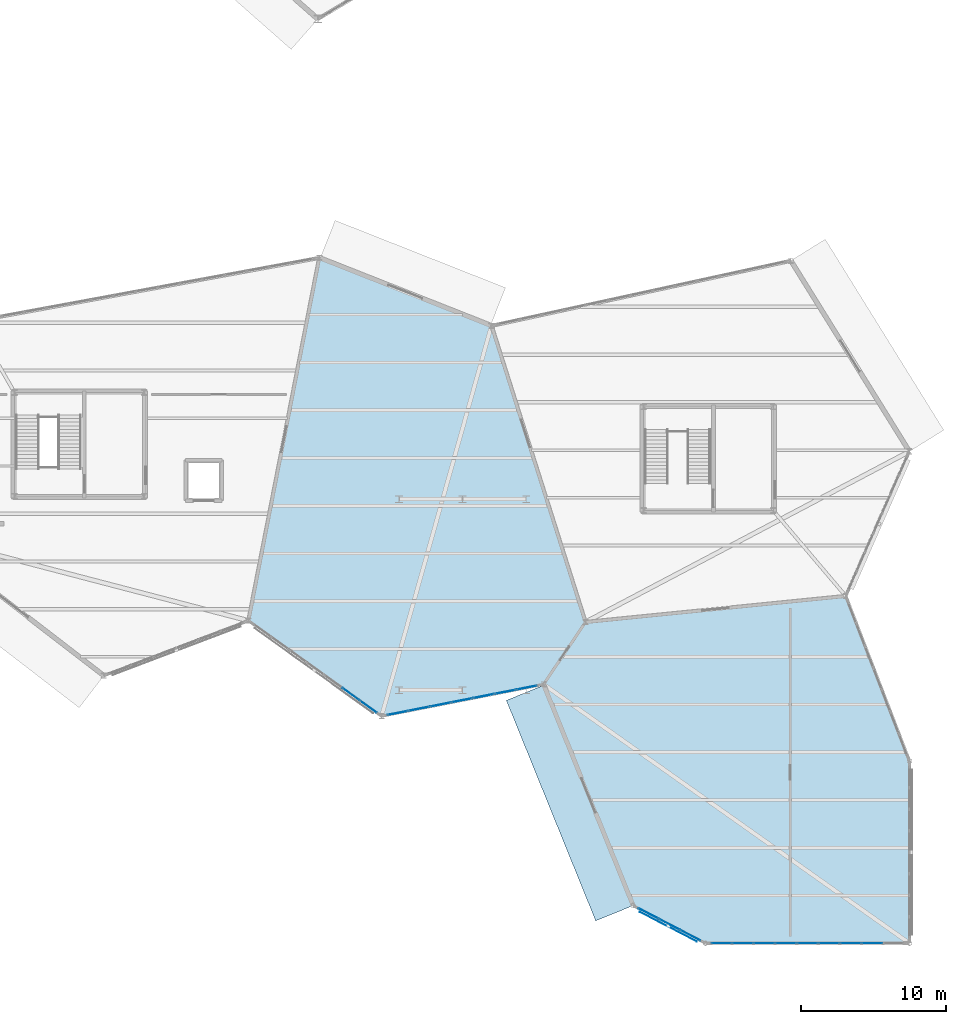
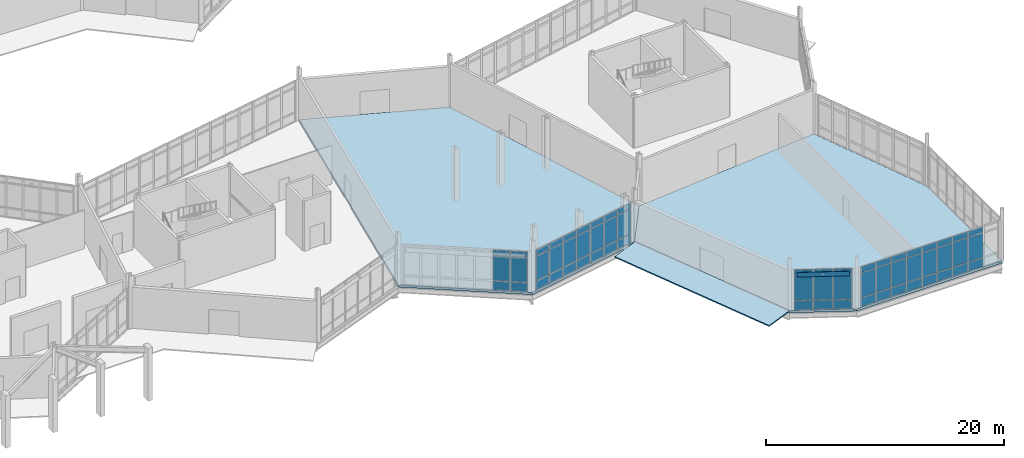
# One storey, part 79 of 113: 61 plates, 3 slabs, 4 elements without a shape of their own.
"""IFC4 building model written with IfcOpenShell, lengths in metres."""

from ifc_helpers import new_model, si_unit, direction, frame, origin, origin_2d, place, context, subcontext, project, spatial, polyline, rectangle, outline, extrude, material, layer, layer_set, type_object, element, aggregate, save


model = new_model("IFC4")

# Units and contexts
model_context = context("Model", 3, precision=1e-05, world=origin(), true_north=direction((0.0, 1.0)))
body_context = subcontext(model_context, "Body", "Model", "MODEL_VIEW")
ifc_project = project(units=[si_unit("LENGTHUNIT", "METRE"), si_unit("AREAUNIT", "SQUARE_METRE"), si_unit("VOLUMEUNIT", "CUBIC_METRE"), si_unit("PLANEANGLEUNIT", "RADIAN"), si_unit("MASSUNIT", "GRAM", prefix="KILO")], contexts=[model_context])

# Site, building, storey
site_placement = place(None, origin())
site = spatial("IfcSite", under=ifc_project, at=site_placement, CompositionType="ELEMENT")
building_placement = place(site_placement, origin())
building = spatial("IfcBuilding", under=site, at=building_placement, Name="Tameran Prism Museum", CompositionType="ELEMENT")
storey_placement = place(building_placement, origin())
storey = spatial("IfcBuildingStorey", under=building, at=storey_placement, Name="L00", CompositionType="ELEMENT", Elevation=0.0)

# Curtain wall, plates
ifc_material_1 = material(Name="Anodised Aluminium 6063-T6 and Cyclone Solar Glass", Category="aluminium")
curtain_wall_type_1 = type_object("IfcCurtainWallType", Name="CW-FAC-1065x422", PredefinedType="USERDEFINED", material=ifc_material_1)
curtain_wall_1_placement = place(storey_placement, origin())
curtain_wall_1 = element("IfcCurtainWall", 1, at=curtain_wall_1_placement, inside=storey, type_object=curtain_wall_type_1, Name="Unitised Curtain Wall CW-038", ObjectType="UNITISED CURTAIN WALL", PredefinedType="USERDEFINED")
ifc_material_2 = material(Name="Low-E Laminated Solar Glass", Category="glass")
ifc_layer_1 = layer(ifc_material_2, 0.028076171875)
ifc_layer_set_1 = layer_set([ifc_layer_1])
plate_type_1 = type_object("IfcPlateType", Name="CW-PNL-G28", PredefinedType="CURTAIN_PANEL", material=ifc_layer_set_1)
plate_1_placement = place(storey_placement, frame((139.931640625, 17.67041015625, 0.080078125), z_axis=(0.0, 0.0, 1.0), x_axis=(-0.981242797485, -0.192775964228, 0.0)))
plate_1 = element("IfcPlate", 2, at=plate_1_placement, type_object=plate_type_1, Name="CW-038 panel 1.1", PredefinedType="CURTAIN_PANEL", context=body_context, shape_type="SweptSolid", body=[
    extrude(rectangle(XDim=1.402099609375, YDim=0.028076171875, at=origin_2d()), origin(), (0.0, 0.0, 1.0), 0.8798828125),
])
plate_2_placement = place(storey_placement, frame((139.931640625, 17.67041015625, 1.0400390625), z_axis=(0.0, 0.0, 1.0), x_axis=(-0.981242797485, -0.192775964228, 0.0)))
plate_2 = element("IfcPlate", 3, at=plate_2_placement, type_object=plate_type_1, Name="CW-038 panel 1.2", PredefinedType="CURTAIN_PANEL", context=body_context, shape_type="SweptSolid", body=[
    extrude(rectangle(XDim=1.402099609375, YDim=0.028076171875, at=origin_2d()), origin(), (0.0, 0.0, 1.0), 2.4599609375),
])
plate_3_placement = place(storey_placement, frame((139.931640625, 17.67041015625, 3.580078125), z_axis=(0.0, 0.0, 1.0), x_axis=(-0.981242797485, -0.192775964228, 0.0)))
plate_3 = element("IfcPlate", 4, at=plate_3_placement, type_object=plate_type_1, Name="CW-038 panel 1.3", PredefinedType="CURTAIN_PANEL", context=body_context, shape_type="SweptSolid", body=[
    extrude(rectangle(XDim=1.402099609375, YDim=0.028076171875, at=origin_2d()), origin(), (0.0, 0.0, 1.0), 0.56005859375),
])
plate_4_placement = place(storey_placement, frame((138.457763671875, 17.380859375, 0.080078125), z_axis=(0.0, 0.0, 1.0), x_axis=(-0.981242797485, -0.192775964228, 0.0)))
plate_4 = element("IfcPlate", 5, at=plate_4_placement, type_object=plate_type_1, Name="CW-038 panel 2.1", PredefinedType="CURTAIN_PANEL", context=body_context, shape_type="SweptSolid", body=[
    extrude(rectangle(XDim=1.442138671875, YDim=0.028076171875, at=origin_2d()), origin(), (0.0, 0.0, 1.0), 0.8798828125),
])
plate_5_placement = place(storey_placement, frame((138.457763671875, 17.380859375, 1.0400390625), z_axis=(0.0, 0.0, 1.0), x_axis=(-0.981242797485, -0.192775964228, 0.0)))
plate_5 = element("IfcPlate", 6, at=plate_5_placement, type_object=plate_type_1, Name="CW-038 panel 2.2", PredefinedType="CURTAIN_PANEL", context=body_context, shape_type="SweptSolid", body=[
    extrude(rectangle(XDim=1.442138671875, YDim=0.028076171875, at=origin_2d()), origin(), (0.0, 0.0, 1.0), 2.4599609375),
])
plate_6_placement = place(storey_placement, frame((138.457763671875, 17.380859375, 3.580078125), z_axis=(0.0, 0.0, 1.0), x_axis=(-0.981242797485, -0.192775964228, 0.0)))
plate_6 = element("IfcPlate", 7, at=plate_6_placement, type_object=plate_type_1, Name="CW-038 panel 2.3", PredefinedType="CURTAIN_PANEL", context=body_context, shape_type="SweptSolid", body=[
    extrude(rectangle(XDim=1.442138671875, YDim=0.028076171875, at=origin_2d()), origin(), (0.0, 0.0, 1.0), 0.56005859375),
])
plate_7_placement = place(storey_placement, frame((136.964111328125, 17.08740234375, 0.080078125), z_axis=(0.0, 0.0, 1.0), x_axis=(-0.981242797485, -0.192775964228, 0.0)))
plate_7 = element("IfcPlate", 8, at=plate_7_placement, type_object=plate_type_1, Name="CW-038 panel 3.1", PredefinedType="CURTAIN_PANEL", context=body_context, shape_type="SweptSolid", body=[
    extrude(rectangle(XDim=1.442138671875, YDim=0.028076171875, at=origin_2d()), origin(), (0.0, 0.0, 1.0), 0.8798828125),
])
plate_8_placement = place(storey_placement, frame((136.964111328125, 17.08740234375, 1.0400390625), z_axis=(0.0, 0.0, 1.0), x_axis=(-0.981242797485, -0.192775964228, 0.0)))
plate_8 = element("IfcPlate", 9, at=plate_8_placement, type_object=plate_type_1, Name="CW-038 panel 3.2", PredefinedType="CURTAIN_PANEL", context=body_context, shape_type="SweptSolid", body=[
    extrude(rectangle(XDim=1.442138671875, YDim=0.028076171875, at=origin_2d()), origin(), (0.0, 0.0, 1.0), 2.4599609375),
])
plate_9_placement = place(storey_placement, frame((136.964111328125, 17.08740234375, 3.580078125), z_axis=(0.0, 0.0, 1.0), x_axis=(-0.981242797485, -0.192775964228, 0.0)))
plate_9 = element("IfcPlate", 10, at=plate_9_placement, type_object=plate_type_1, Name="CW-038 panel 3.3", PredefinedType="CURTAIN_PANEL", context=body_context, shape_type="SweptSolid", body=[
    extrude(rectangle(XDim=1.442138671875, YDim=0.028076171875, at=origin_2d()), origin(), (0.0, 0.0, 1.0), 0.56005859375),
])
plate_10_placement = place(storey_placement, frame((135.470458984375, 16.7939453125, 0.080078125), z_axis=(0.0, 0.0, 1.0), x_axis=(-0.981242797485, -0.192775964228, 0.0)))
plate_10 = element("IfcPlate", 11, at=plate_10_placement, type_object=plate_type_1, Name="CW-038 panel 4.1", PredefinedType="CURTAIN_PANEL", context=body_context, shape_type="SweptSolid", body=[
    extrude(rectangle(XDim=1.442138671875, YDim=0.028076171875, at=origin_2d()), origin(), (0.0, 0.0, 1.0), 0.8798828125),
])
plate_11_placement = place(storey_placement, frame((135.470458984375, 16.7939453125, 1.0400390625), z_axis=(0.0, 0.0, 1.0), x_axis=(-0.981242797485, -0.192775964228, 0.0)))
plate_11 = element("IfcPlate", 12, at=plate_11_placement, type_object=plate_type_1, Name="CW-038 panel 4.2", PredefinedType="CURTAIN_PANEL", context=body_context, shape_type="SweptSolid", body=[
    extrude(rectangle(XDim=1.442138671875, YDim=0.028076171875, at=origin_2d()), origin(), (0.0, 0.0, 1.0), 2.4599609375),
])
plate_12_placement = place(storey_placement, frame((135.470458984375, 16.7939453125, 3.580078125), z_axis=(0.0, 0.0, 1.0), x_axis=(-0.981242797485, -0.192775964228, 0.0)))
plate_12 = element("IfcPlate", 13, at=plate_12_placement, type_object=plate_type_1, Name="CW-038 panel 4.3", PredefinedType="CURTAIN_PANEL", context=body_context, shape_type="SweptSolid", body=[
    extrude(rectangle(XDim=1.442138671875, YDim=0.028076171875, at=origin_2d()), origin(), (0.0, 0.0, 1.0), 0.56005859375),
])
plate_13_placement = place(storey_placement, frame((133.976806640625, 16.50048828125, 0.080078125), z_axis=(0.0, 0.0, 1.0), x_axis=(-0.981242797485, -0.192775964228, 0.0)))
plate_13 = element("IfcPlate", 14, at=plate_13_placement, type_object=plate_type_1, Name="CW-038 panel 5.1", PredefinedType="CURTAIN_PANEL", context=body_context, shape_type="SweptSolid", body=[
    extrude(rectangle(XDim=1.442138671875, YDim=0.028076171875, at=origin_2d()), origin(), (0.0, 0.0, 1.0), 0.8798828125),
])
plate_14_placement = place(storey_placement, frame((133.976806640625, 16.50048828125, 1.0400390625), z_axis=(0.0, 0.0, 1.0), x_axis=(-0.981242797485, -0.192775964228, 0.0)))
plate_14 = element("IfcPlate", 15, at=plate_14_placement, type_object=plate_type_1, Name="CW-038 panel 5.2", PredefinedType="CURTAIN_PANEL", context=body_context, shape_type="SweptSolid", body=[
    extrude(rectangle(XDim=1.442138671875, YDim=0.028076171875, at=origin_2d()), origin(), (0.0, 0.0, 1.0), 2.4599609375),
])
plate_15_placement = place(storey_placement, frame((133.976806640625, 16.50048828125, 3.580078125), z_axis=(0.0, 0.0, 1.0), x_axis=(-0.981242797485, -0.192775964228, 0.0)))
plate_15 = element("IfcPlate", 16, at=plate_15_placement, type_object=plate_type_1, Name="CW-038 panel 5.3", PredefinedType="CURTAIN_PANEL", context=body_context, shape_type="SweptSolid", body=[
    extrude(rectangle(XDim=1.442138671875, YDim=0.028076171875, at=origin_2d()), origin(), (0.0, 0.0, 1.0), 0.56005859375),
])
plate_16_placement = place(storey_placement, frame((132.4833984375, 16.20703125, 0.080078125), z_axis=(0.0, 0.0, 1.0), x_axis=(-0.981242797485, -0.192775964228, 0.0)))
plate_16 = element("IfcPlate", 17, at=plate_16_placement, type_object=plate_type_1, Name="CW-038 panel 6.1", PredefinedType="CURTAIN_PANEL", context=body_context, shape_type="SweptSolid", body=[
    extrude(rectangle(XDim=1.442138671875, YDim=0.028076171875, at=origin_2d()), origin(), (0.0, 0.0, 1.0), 0.8798828125),
])
plate_17_placement = place(storey_placement, frame((132.4833984375, 16.20703125, 1.0400390625), z_axis=(0.0, 0.0, 1.0), x_axis=(-0.981242797485, -0.192775964228, 0.0)))
plate_17 = element("IfcPlate", 18, at=plate_17_placement, type_object=plate_type_1, Name="CW-038 panel 6.2", PredefinedType="CURTAIN_PANEL", context=body_context, shape_type="SweptSolid", body=[
    extrude(rectangle(XDim=1.442138671875, YDim=0.028076171875, at=origin_2d()), origin(), (0.0, 0.0, 1.0), 2.4599609375),
])
plate_18_placement = place(storey_placement, frame((132.4833984375, 16.20703125, 3.580078125), z_axis=(0.0, 0.0, 1.0), x_axis=(-0.981242797485, -0.192775964228, 0.0)))
plate_18 = element("IfcPlate", 19, at=plate_18_placement, type_object=plate_type_1, Name="CW-038 panel 6.3", PredefinedType="CURTAIN_PANEL", context=body_context, shape_type="SweptSolid", body=[
    extrude(rectangle(XDim=1.442138671875, YDim=0.028076171875, at=origin_2d()), origin(), (0.0, 0.0, 1.0), 0.56005859375),
])
plate_19_placement = place(storey_placement, frame((131.009521484375, 15.91748046875, 0.080078125), z_axis=(0.0, 0.0, 1.0), x_axis=(-0.981242797485, -0.192775964228, 0.0)))
plate_19 = element("IfcPlate", 20, at=plate_19_placement, type_object=plate_type_1, Name="CW-038 panel 7.1", PredefinedType="CURTAIN_PANEL", context=body_context, shape_type="SweptSolid", body=[
    extrude(rectangle(XDim=1.402099609375, YDim=0.028076171875, at=origin_2d()), origin(), (0.0, 0.0, 1.0), 0.8798828125),
])
plate_20_placement = place(storey_placement, frame((131.009521484375, 15.91748046875, 1.0400390625), z_axis=(0.0, 0.0, 1.0), x_axis=(-0.981242797485, -0.192775964228, 0.0)))
plate_20 = element("IfcPlate", 21, at=plate_20_placement, type_object=plate_type_1, Name="CW-038 panel 7.2", PredefinedType="CURTAIN_PANEL", context=body_context, shape_type="SweptSolid", body=[
    extrude(rectangle(XDim=1.402099609375, YDim=0.028076171875, at=origin_2d()), origin(), (0.0, 0.0, 1.0), 2.4599609375),
])
plate_21_placement = place(storey_placement, frame((131.009521484375, 15.91748046875, 3.580078125), z_axis=(0.0, 0.0, 1.0), x_axis=(-0.981242797485, -0.192775964228, 0.0)))
plate_21 = element("IfcPlate", 22, at=plate_21_placement, type_object=plate_type_1, Name="CW-038 panel 7.3", PredefinedType="CURTAIN_PANEL", context=body_context, shape_type="SweptSolid", body=[
    extrude(rectangle(XDim=1.402099609375, YDim=0.028076171875, at=origin_2d()), origin(), (0.0, 0.0, 1.0), 0.56005859375),
])
aggregate(curtain_wall_1, [plate_1, plate_2, plate_3, plate_4, plate_5, plate_6, plate_7, plate_8, plate_9, plate_10, plate_11, plate_12, plate_13, plate_14, plate_15, plate_16, plate_17, plate_18, plate_19, plate_20, plate_21])

ifc_material_3 = material(Name="Anodised Aluminium 6063-T6 and Cyclone Solar Glass", Category="aluminium")
curtain_wall_type_2 = type_object("IfcCurtainWallType", Name="CW-FAC-1340x422", PredefinedType="USERDEFINED", material=ifc_material_3)
curtain_wall_2_placement = place(storey_placement, origin())
curtain_wall_2 = element("IfcCurtainWall", 23, at=curtain_wall_2_placement, inside=storey, type_object=curtain_wall_type_2, Name="Unitised Curtain Wall CW-040", ObjectType="UNITISED CURTAIN WALL", PredefinedType="USERDEFINED")
plate_22_placement = place(storey_placement, frame((163.816650390625, 0.0, 0.070068359375), z_axis=(0.0, 0.0, 1.0), x_axis=(-1.0, 0.0, 0.0)))
plate_22 = element("IfcPlate", 24, at=plate_22_placement, type_object=plate_type_1, Name="CW-040 panel 2.1", PredefinedType="CURTAIN_PANEL", context=body_context, shape_type="SweptSolid", body=[
    extrude(rectangle(XDim=1.4189453125, YDim=0.028076171875, at=origin_2d()), origin(), (0.0, 0.0, 1.0), 0.89501953125),
])
plate_23_placement = place(storey_placement, frame((163.816650390625, 0.0, 1.03515625), z_axis=(0.0, 0.0, 1.0), x_axis=(-1.0, 0.0, 0.0)))
plate_23 = element("IfcPlate", 25, at=plate_23_placement, type_object=plate_type_1, Name="CW-040 panel 2.2", PredefinedType="CURTAIN_PANEL", context=body_context, shape_type="SweptSolid", body=[
    extrude(rectangle(XDim=1.4189453125, YDim=0.028076171875, at=origin_2d()), origin(), (0.0, 0.0, 1.0), 2.469970703125),
])
plate_24_placement = place(storey_placement, frame((163.816650390625, 0.0, 3.5751953125), z_axis=(0.0, 0.0, 1.0), x_axis=(-1.0, 0.0, 0.0)))
plate_24 = element("IfcPlate", 26, at=plate_24_placement, type_object=plate_type_1, Name="CW-040 panel 2.3", PredefinedType="CURTAIN_PANEL", context=body_context, shape_type="SweptSolid", body=[
    extrude(rectangle(XDim=1.4189453125, YDim=0.028076171875, at=origin_2d()), origin(), (0.0, 0.0, 1.0), 0.574951171875),
])
plate_25_placement = place(storey_placement, frame((162.327880859375, 0.0, 0.070068359375), z_axis=(0.0, 0.0, 1.0), x_axis=(-1.0, 0.0, 0.0)))
plate_25 = element("IfcPlate", 27, at=plate_25_placement, type_object=plate_type_1, Name="CW-040 panel 3.1", PredefinedType="CURTAIN_PANEL", context=body_context, shape_type="SweptSolid", body=[
    extrude(rectangle(XDim=1.4189453125, YDim=0.028076171875, at=origin_2d()), origin(), (0.0, 0.0, 1.0), 0.89501953125),
])
plate_26_placement = place(storey_placement, frame((162.327880859375, 0.0, 1.03515625), z_axis=(0.0, 0.0, 1.0), x_axis=(-1.0, 0.0, 0.0)))
plate_26 = element("IfcPlate", 28, at=plate_26_placement, type_object=plate_type_1, Name="CW-040 panel 3.2", PredefinedType="CURTAIN_PANEL", context=body_context, shape_type="SweptSolid", body=[
    extrude(rectangle(XDim=1.4189453125, YDim=0.028076171875, at=origin_2d()), origin(), (0.0, 0.0, 1.0), 2.469970703125),
])
plate_27_placement = place(storey_placement, frame((162.327880859375, 0.0, 3.5751953125), z_axis=(0.0, 0.0, 1.0), x_axis=(-1.0, 0.0, 0.0)))
plate_27 = element("IfcPlate", 29, at=plate_27_placement, type_object=plate_type_1, Name="CW-040 panel 3.3", PredefinedType="CURTAIN_PANEL", context=body_context, shape_type="SweptSolid", body=[
    extrude(rectangle(XDim=1.4189453125, YDim=0.028076171875, at=origin_2d()), origin(), (0.0, 0.0, 1.0), 0.574951171875),
])
plate_28_placement = place(storey_placement, frame((160.8388671875, 0.0, 0.070068359375), z_axis=(0.0, 0.0, 1.0), x_axis=(-1.0, 0.0, 0.0)))
plate_28 = element("IfcPlate", 30, at=plate_28_placement, type_object=plate_type_1, Name="CW-040 panel 4.1", PredefinedType="CURTAIN_PANEL", context=body_context, shape_type="SweptSolid", body=[
    extrude(rectangle(XDim=1.4189453125, YDim=0.028076171875, at=origin_2d()), origin(), (0.0, 0.0, 1.0), 0.89501953125),
])
plate_29_placement = place(storey_placement, frame((160.8388671875, 0.0, 1.03515625), z_axis=(0.0, 0.0, 1.0), x_axis=(-1.0, 0.0, 0.0)))
plate_29 = element("IfcPlate", 31, at=plate_29_placement, type_object=plate_type_1, Name="CW-040 panel 4.2", PredefinedType="CURTAIN_PANEL", context=body_context, shape_type="SweptSolid", body=[
    extrude(rectangle(XDim=1.4189453125, YDim=0.028076171875, at=origin_2d()), origin(), (0.0, 0.0, 1.0), 2.469970703125),
])
plate_30_placement = place(storey_placement, frame((160.8388671875, 0.0, 3.5751953125), z_axis=(0.0, 0.0, 1.0), x_axis=(-1.0, 0.0, 0.0)))
plate_30 = element("IfcPlate", 32, at=plate_30_placement, type_object=plate_type_1, Name="CW-040 panel 4.3", PredefinedType="CURTAIN_PANEL", context=body_context, shape_type="SweptSolid", body=[
    extrude(rectangle(XDim=1.4189453125, YDim=0.028076171875, at=origin_2d()), origin(), (0.0, 0.0, 1.0), 0.574951171875),
])
plate_31_placement = place(storey_placement, frame((159.35009765625, 0.0, 0.070068359375), z_axis=(0.0, 0.0, 1.0), x_axis=(-1.0, 0.0, 0.0)))
plate_31 = element("IfcPlate", 33, at=plate_31_placement, type_object=plate_type_1, Name="CW-040 panel 5.1", PredefinedType="CURTAIN_PANEL", context=body_context, shape_type="SweptSolid", body=[
    extrude(rectangle(XDim=1.4189453125, YDim=0.028076171875, at=origin_2d()), origin(), (0.0, 0.0, 1.0), 0.89501953125),
])
plate_32_placement = place(storey_placement, frame((159.35009765625, 0.0, 1.03515625), z_axis=(0.0, 0.0, 1.0), x_axis=(-1.0, 0.0, 0.0)))
plate_32 = element("IfcPlate", 34, at=plate_32_placement, type_object=plate_type_1, Name="CW-040 panel 5.2", PredefinedType="CURTAIN_PANEL", context=body_context, shape_type="SweptSolid", body=[
    extrude(rectangle(XDim=1.4189453125, YDim=0.028076171875, at=origin_2d()), origin(), (0.0, 0.0, 1.0), 2.469970703125),
])
plate_33_placement = place(storey_placement, frame((159.35009765625, 0.0, 3.5751953125), z_axis=(0.0, 0.0, 1.0), x_axis=(-1.0, 0.0, 0.0)))
plate_33 = element("IfcPlate", 35, at=plate_33_placement, type_object=plate_type_1, Name="CW-040 panel 5.3", PredefinedType="CURTAIN_PANEL", context=body_context, shape_type="SweptSolid", body=[
    extrude(rectangle(XDim=1.4189453125, YDim=0.028076171875, at=origin_2d()), origin(), (0.0, 0.0, 1.0), 0.574951171875),
])
plate_34_placement = place(storey_placement, frame((157.861083984375, 0.0, 0.070068359375), z_axis=(0.0, 0.0, 1.0), x_axis=(-1.0, 0.0, 0.0)))
plate_34 = element("IfcPlate", 36, at=plate_34_placement, type_object=plate_type_1, Name="CW-040 panel 6.1", PredefinedType="CURTAIN_PANEL", context=body_context, shape_type="SweptSolid", body=[
    extrude(rectangle(XDim=1.4189453125, YDim=0.028076171875, at=origin_2d()), origin(), (0.0, 0.0, 1.0), 0.89501953125),
])
plate_35_placement = place(storey_placement, frame((157.861083984375, 0.0, 1.03515625), z_axis=(0.0, 0.0, 1.0), x_axis=(-1.0, 0.0, 0.0)))
plate_35 = element("IfcPlate", 37, at=plate_35_placement, type_object=plate_type_1, Name="CW-040 panel 6.2", PredefinedType="CURTAIN_PANEL", context=body_context, shape_type="SweptSolid", body=[
    extrude(rectangle(XDim=1.4189453125, YDim=0.028076171875, at=origin_2d()), origin(), (0.0, 0.0, 1.0), 2.469970703125),
])
plate_36_placement = place(storey_placement, frame((157.861083984375, 0.0, 3.5751953125), z_axis=(0.0, 0.0, 1.0), x_axis=(-1.0, 0.0, 0.0)))
plate_36 = element("IfcPlate", 38, at=plate_36_placement, type_object=plate_type_1, Name="CW-040 panel 6.3", PredefinedType="CURTAIN_PANEL", context=body_context, shape_type="SweptSolid", body=[
    extrude(rectangle(XDim=1.4189453125, YDim=0.028076171875, at=origin_2d()), origin(), (0.0, 0.0, 1.0), 0.574951171875),
])
plate_37_placement = place(storey_placement, frame((156.372314453125, 0.0, 0.070068359375), z_axis=(0.0, 0.0, 1.0), x_axis=(-1.0, 0.0, 0.0)))
plate_37 = element("IfcPlate", 39, at=plate_37_placement, type_object=plate_type_1, Name="CW-040 panel 7.1", PredefinedType="CURTAIN_PANEL", context=body_context, shape_type="SweptSolid", body=[
    extrude(rectangle(XDim=1.4189453125, YDim=0.028076171875, at=origin_2d()), origin(), (0.0, 0.0, 1.0), 0.89501953125),
])
plate_38_placement = place(storey_placement, frame((156.372314453125, 0.0, 1.03515625), z_axis=(0.0, 0.0, 1.0), x_axis=(-1.0, 0.0, 0.0)))
plate_38 = element("IfcPlate", 40, at=plate_38_placement, type_object=plate_type_1, Name="CW-040 panel 7.2", PredefinedType="CURTAIN_PANEL", context=body_context, shape_type="SweptSolid", body=[
    extrude(rectangle(XDim=1.4189453125, YDim=0.028076171875, at=origin_2d()), origin(), (0.0, 0.0, 1.0), 2.469970703125),
])
plate_39_placement = place(storey_placement, frame((156.372314453125, 0.0, 3.5751953125), z_axis=(0.0, 0.0, 1.0), x_axis=(-1.0, 0.0, 0.0)))
plate_39 = element("IfcPlate", 41, at=plate_39_placement, type_object=plate_type_1, Name="CW-040 panel 7.3", PredefinedType="CURTAIN_PANEL", context=body_context, shape_type="SweptSolid", body=[
    extrude(rectangle(XDim=1.4189453125, YDim=0.028076171875, at=origin_2d()), origin(), (0.0, 0.0, 1.0), 0.574951171875),
])
plate_40_placement = place(storey_placement, frame((154.88330078125, 0.0, 0.070068359375), z_axis=(0.0, 0.0, 1.0), x_axis=(-1.0, 0.0, 0.0)))
plate_40 = element("IfcPlate", 42, at=plate_40_placement, type_object=plate_type_1, Name="CW-040 panel 8.1", PredefinedType="CURTAIN_PANEL", context=body_context, shape_type="SweptSolid", body=[
    extrude(rectangle(XDim=1.4189453125, YDim=0.028076171875, at=origin_2d()), origin(), (0.0, 0.0, 1.0), 0.89501953125),
])
plate_41_placement = place(storey_placement, frame((154.88330078125, 0.0, 1.03515625), z_axis=(0.0, 0.0, 1.0), x_axis=(-1.0, 0.0, 0.0)))
plate_41 = element("IfcPlate", 43, at=plate_41_placement, type_object=plate_type_1, Name="CW-040 panel 8.2", PredefinedType="CURTAIN_PANEL", context=body_context, shape_type="SweptSolid", body=[
    extrude(rectangle(XDim=1.4189453125, YDim=0.028076171875, at=origin_2d()), origin(), (0.0, 0.0, 1.0), 2.469970703125),
])
plate_42_placement = place(storey_placement, frame((154.88330078125, 0.0, 3.5751953125), z_axis=(0.0, 0.0, 1.0), x_axis=(-1.0, 0.0, 0.0)))
plate_42 = element("IfcPlate", 44, at=plate_42_placement, type_object=plate_type_1, Name="CW-040 panel 8.3", PredefinedType="CURTAIN_PANEL", context=body_context, shape_type="SweptSolid", body=[
    extrude(rectangle(XDim=1.4189453125, YDim=0.028076171875, at=origin_2d()), origin(), (0.0, 0.0, 1.0), 0.574951171875),
])
plate_43_placement = place(storey_placement, frame((153.411865234375, 0.0, 0.070068359375), z_axis=(0.0, 0.0, 1.0), x_axis=(-1.0, 0.0, 0.0)))
plate_43 = element("IfcPlate", 45, at=plate_43_placement, type_object=plate_type_1, Name="CW-040 panel 9.1", PredefinedType="CURTAIN_PANEL", context=body_context, shape_type="SweptSolid", body=[
    extrude(rectangle(XDim=1.3837890625, YDim=0.028076171875, at=origin_2d()), origin(), (0.0, 0.0, 1.0), 0.89501953125),
])
plate_44_placement = place(storey_placement, frame((153.411865234375, 0.0, 1.03515625), z_axis=(0.0, 0.0, 1.0), x_axis=(-1.0, 0.0, 0.0)))
plate_44 = element("IfcPlate", 46, at=plate_44_placement, type_object=plate_type_1, Name="CW-040 panel 9.2", PredefinedType="CURTAIN_PANEL", context=body_context, shape_type="SweptSolid", body=[
    extrude(rectangle(XDim=1.3837890625, YDim=0.028076171875, at=origin_2d()), origin(), (0.0, 0.0, 1.0), 2.469970703125),
])
plate_45_placement = place(storey_placement, frame((153.411865234375, 0.0, 3.5751953125), z_axis=(0.0, 0.0, 1.0), x_axis=(-1.0, 0.0, 0.0)))
plate_45 = element("IfcPlate", 47, at=plate_45_placement, type_object=plate_type_1, Name="CW-040 panel 9.3", PredefinedType="CURTAIN_PANEL", context=body_context, shape_type="SweptSolid", body=[
    extrude(rectangle(XDim=1.3837890625, YDim=0.028076171875, at=origin_2d()), origin(), (0.0, 0.0, 1.0), 0.574951171875),
])
aggregate(curtain_wall_2, [plate_22, plate_23, plate_24, plate_25, plate_26, plate_27, plate_28, plate_29, plate_30, plate_31, plate_32, plate_33, plate_34, plate_35, plate_36, plate_37, plate_38, plate_39, plate_40, plate_41, plate_42, plate_43, plate_44, plate_45])

ifc_material_4 = material(Name="Anodised Aluminium 6063-T6 and Cyclone Solar Glass", Category="aluminium")
curtain_wall_type_3 = type_object("IfcCurtainWallType", Name="CW-FAC-1056x422", PredefinedType="USERDEFINED", material=ifc_material_4)
curtain_wall_3_placement = place(storey_placement, origin())
curtain_wall_3 = element("IfcCurtainWall", 48, at=curtain_wall_3_placement, inside=storey, type_object=curtain_wall_type_3, Name="Unitised Curtain Wall CW-037", ObjectType="UNITISED CURTAIN WALL", PredefinedType="USERDEFINED")
ifc_material_5 = material(Name="Cyclone Laminated Solar Glass", Category="glass")
ifc_layer_2 = layer(ifc_material_5, 0.031982421875)
ifc_layer_set_2 = layer_set([ifc_layer_2])
plate_type_2 = type_object("IfcPlateType", Name="CW-PNL-G32", PredefinedType="CURTAIN_PANEL", material=ifc_layer_set_2)
plate_46_placement = place(storey_placement, frame((128.98779296875, 16.354736328125, 0.0751953125), z_axis=(0.0, 0.0, 1.0), x_axis=(-0.812554821293, 0.582884776259, 0.0)))
plate_46 = element("IfcPlate", 49, at=plate_46_placement, type_object=plate_type_2, Name="CW-037 panel 1.1", PredefinedType="CURTAIN_PANEL", context=body_context, shape_type="SweptSolid", body=[
    extrude(rectangle(XDim=1.396484375, YDim=0.031982421875, at=origin_2d()), origin(), (0.0, 0.0, 1.0), 0.887451171875),
])
plate_47_placement = place(storey_placement, frame((128.98779296875, 16.354736328125, 1.03759765625), z_axis=(0.0, 0.0, 1.0), x_axis=(-0.812554821293, 0.582884776259, 0.0)))
plate_47 = element("IfcPlate", 50, at=plate_47_placement, type_object=plate_type_2, Name="CW-037 panel 1.2", PredefinedType="CURTAIN_PANEL", context=body_context, shape_type="SweptSolid", body=[
    extrude(rectangle(XDim=1.396484375, YDim=0.031982421875, at=origin_2d()), origin(), (0.0, 0.0, 1.0), 2.465087890625),
])
plate_48_placement = place(storey_placement, frame((128.98779296875, 16.354736328125, 3.57763671875), z_axis=(0.0, 0.0, 1.0), x_axis=(-0.812554821293, 0.582884776259, 0.0)))
plate_48 = element("IfcPlate", 51, at=plate_48_placement, type_object=plate_type_2, Name="CW-037 panel 1.3", PredefinedType="CURTAIN_PANEL", context=body_context, shape_type="SweptSolid", body=[
    extrude(rectangle(XDim=1.396484375, YDim=0.031982421875, at=origin_2d()), origin(), (0.0, 0.0, 1.0), 0.5673828125),
])
plate_49_placement = place(storey_placement, frame((127.77685546875, 17.223388671875, 0.0751953125), z_axis=(0.0, 0.0, 1.0), x_axis=(-0.812554821293, 0.582884776259, 0.0)))
plate_49 = element("IfcPlate", 52, at=plate_49_placement, type_object=plate_type_2, Name="CW-037 panel 2.1", PredefinedType="CURTAIN_PANEL", context=body_context, shape_type="SweptSolid", body=[
    extrude(rectangle(XDim=1.43408203125, YDim=0.031982421875, at=origin_2d()), origin(), (0.0, 0.0, 1.0), 0.887451171875),
])
plate_50_placement = place(storey_placement, frame((127.77685546875, 17.223388671875, 1.03759765625), z_axis=(0.0, 0.0, 1.0), x_axis=(-0.812554821293, 0.582884776259, 0.0)))
plate_50 = element("IfcPlate", 53, at=plate_50_placement, type_object=plate_type_2, Name="CW-037 panel 2.2", PredefinedType="CURTAIN_PANEL", context=body_context, shape_type="SweptSolid", body=[
    extrude(rectangle(XDim=1.43408203125, YDim=0.031982421875, at=origin_2d()), origin(), (0.0, 0.0, 1.0), 2.465087890625),
])
plate_51_placement = place(storey_placement, frame((127.77685546875, 17.223388671875, 3.57763671875), z_axis=(0.0, 0.0, 1.0), x_axis=(-0.812554821293, 0.582884776259, 0.0)))
plate_51 = element("IfcPlate", 54, at=plate_51_placement, type_object=plate_type_2, Name="CW-037 panel 2.3", PredefinedType="CURTAIN_PANEL", context=body_context, shape_type="SweptSolid", body=[
    extrude(rectangle(XDim=1.43408203125, YDim=0.031982421875, at=origin_2d()), origin(), (0.0, 0.0, 1.0), 0.5673828125),
])
aggregate(curtain_wall_3, [plate_46, plate_47, plate_48, plate_49, plate_50, plate_51])

ifc_material_6 = material(Name="Anodised Aluminium 6063-T6 and Cyclone Solar Glass", Category="aluminium")
curtain_wall_type_4 = type_object("IfcCurtainWallType", Name="CW-FAC-494x422", PredefinedType="USERDEFINED", material=ifc_material_6)
curtain_wall_4_placement = place(storey_placement, origin())
curtain_wall_4 = element("IfcCurtainWall", 55, at=curtain_wall_4_placement, inside=storey, type_object=curtain_wall_type_4, Name="Unitised Curtain Wall CW-039", ObjectType="UNITISED CURTAIN WALL", PredefinedType="USERDEFINED")
plate_52_placement = place(storey_placement, frame((151.244873046875, 0.548095703125, 0.06494140625), z_axis=(0.0, 0.0, 1.0), x_axis=(-0.887097339463, 0.461582398188, 0.0)))
plate_52 = element("IfcPlate", 56, at=plate_52_placement, type_object=plate_type_2, Name="CW-039 panel 1.1", PredefinedType="CURTAIN_PANEL", context=body_context, shape_type="SweptSolid", body=[
    extrude(rectangle(XDim=1.547607421875, YDim=0.031982421875, at=origin_2d()), origin(), (0.0, 0.0, 1.0), 0.902587890625),
])
plate_53_placement = place(storey_placement, frame((151.244873046875, 0.548095703125, 1.032470703125), z_axis=(0.0, 0.0, 1.0), x_axis=(-0.887097339463, 0.461582398188, 0.0)))
plate_53 = element("IfcPlate", 57, at=plate_53_placement, type_object=plate_type_2, Name="CW-039 panel 1.2", PredefinedType="CURTAIN_PANEL", context=body_context, shape_type="SweptSolid", body=[
    extrude(rectangle(XDim=1.547607421875, YDim=0.031982421875, at=origin_2d()), origin(), (0.0, 0.0, 1.0), 2.47509765625),
])
plate_54_placement = place(storey_placement, frame((151.244873046875, 0.548095703125, 3.572509765625), z_axis=(0.0, 0.0, 1.0), x_axis=(-0.887097339463, 0.461582398188, 0.0)))
plate_54 = element("IfcPlate", 58, at=plate_54_placement, type_object=plate_type_2, Name="CW-039 panel 1.3", PredefinedType="CURTAIN_PANEL", context=body_context, shape_type="SweptSolid", body=[
    extrude(rectangle(XDim=1.547607421875, YDim=0.031982421875, at=origin_2d()), origin(), (0.0, 0.0, 1.0), 0.58251953125),
])
plate_55_placement = place(storey_placement, frame((149.800048828125, 1.300048828125, 0.06494140625), z_axis=(0.0, 0.0, 1.0), x_axis=(-0.887097339463, 0.461582398188, 0.0)))
plate_55 = element("IfcPlate", 59, at=plate_55_placement, type_object=plate_type_2, Name="CW-039 panel 2.1", PredefinedType="CURTAIN_PANEL", context=body_context, shape_type="SweptSolid", body=[
    extrude(rectangle(XDim=1.580078125, YDim=0.031982421875, at=origin_2d()), origin(), (0.0, 0.0, 1.0), 0.902587890625),
])
plate_56_placement = place(storey_placement, frame((149.800048828125, 1.300048828125, 1.032470703125), z_axis=(0.0, 0.0, 1.0), x_axis=(-0.887097339463, 0.461582398188, 0.0)))
plate_56 = element("IfcPlate", 60, at=plate_56_placement, type_object=plate_type_2, Name="CW-039 panel 2.2", PredefinedType="CURTAIN_PANEL", context=body_context, shape_type="SweptSolid", body=[
    extrude(rectangle(XDim=1.580078125, YDim=0.031982421875, at=origin_2d()), origin(), (0.0, 0.0, 1.0), 2.47509765625),
])
plate_57_placement = place(storey_placement, frame((149.800048828125, 1.300048828125, 3.572509765625), z_axis=(0.0, 0.0, 1.0), x_axis=(-0.887097339463, 0.461582398188, 0.0)))
plate_57 = element("IfcPlate", 61, at=plate_57_placement, type_object=plate_type_2, Name="CW-039 panel 2.3", PredefinedType="CURTAIN_PANEL", context=body_context, shape_type="SweptSolid", body=[
    extrude(rectangle(XDim=1.580078125, YDim=0.031982421875, at=origin_2d()), origin(), (0.0, 0.0, 1.0), 0.58251953125),
])
plate_58_placement = place(storey_placement, frame((148.35498046875, 2.0517578125, 0.06494140625), z_axis=(0.0, 0.0, 1.0), x_axis=(-0.887097339463, 0.461582398188, 0.0)))
plate_58 = element("IfcPlate", 62, at=plate_58_placement, type_object=plate_type_2, Name="CW-039 panel 3.1", PredefinedType="CURTAIN_PANEL", context=body_context, shape_type="SweptSolid", body=[
    extrude(rectangle(XDim=1.547607421875, YDim=0.031982421875, at=origin_2d()), origin(), (0.0, 0.0, 1.0), 0.902587890625),
])
plate_59_placement = place(storey_placement, frame((148.35498046875, 2.0517578125, 1.032470703125), z_axis=(0.0, 0.0, 1.0), x_axis=(-0.887097339463, 0.461582398188, 0.0)))
plate_59 = element("IfcPlate", 63, at=plate_59_placement, type_object=plate_type_2, Name="CW-039 panel 3.2", PredefinedType="CURTAIN_PANEL", context=body_context, shape_type="SweptSolid", body=[
    extrude(rectangle(XDim=1.547607421875, YDim=0.031982421875, at=origin_2d()), origin(), (0.0, 0.0, 1.0), 2.47509765625),
])
plate_60_placement = place(storey_placement, frame((148.35498046875, 2.0517578125, 3.572509765625), z_axis=(0.0, 0.0, 1.0), x_axis=(-0.887097339463, 0.461582398188, 0.0)))
plate_60 = element("IfcPlate", 64, at=plate_60_placement, type_object=plate_type_2, Name="CW-039 panel 3.3", PredefinedType="CURTAIN_PANEL", context=body_context, shape_type="SweptSolid", body=[
    extrude(rectangle(XDim=1.547607421875, YDim=0.031982421875, at=origin_2d()), origin(), (0.0, 0.0, 1.0), 0.58251953125),
])
aggregate(curtain_wall_4, [plate_52, plate_53, plate_54, plate_55, plate_56, plate_57, plate_58, plate_59, plate_60])

# Plate
ifc_material_7 = material(Name="Perforated Marine Aluminium Storm Screen", Category="aluminium")
ifc_layer_3 = layer(ifc_material_7, 0.011962890625)
ifc_layer_set_3 = layer_set([ifc_layer_3])
plate_type_3 = type_object("IfcPlateType", Name="CW-PNL-P12", PredefinedType="SHEET", material=ifc_layer_set_3)
plate_61_placement = place(storey_placement, frame((149.717041015625, 1.139892578125, 3.530029296875), z_axis=(0.0, 0.0, 1.0), x_axis=(-0.887252482586, 0.461284112175, 0.0)))
element("IfcPlate", 65, at=plate_61_placement, inside=storey, type_object=plate_type_3, Name="Cyclone Perforated Sun-Breaker SS-010", PredefinedType="SHEET", context=body_context, shape_type="SweptSolid", body=[
    extrude(rectangle(XDim=4.43603515625, YDim=0.02001953125, at=origin_2d()), origin(), (0.0, 0.0, 1.0), 0.47998046875),
])

# Slabs
ifc_material_8 = material(Name="Concrete N40 (40 MPa)", Category="concrete")
ifc_layer_4 = layer(ifc_material_8, 0.239990234375)
ifc_layer_set_4 = layer_set([ifc_layer_4])
slab_type_1 = type_object("IfcSlabType", Name="SL-FLR-240", PredefinedType="FLOOR", material=ifc_layer_set_4)
slab_1_placement = place(storey_placement, frame((0.0, 0.0, -0.239990234375)))
element("IfcSlab", 66, at=slab_1_placement, inside=storey, type_object=slab_type_1, Name="Floor Slab FS-P09-L00", PredefinedType="FLOOR", context=body_context, shape_type="SweptSolid", body=[
    extrude(outline(polyline([(137.5, 42.699951171875), (125.60009765625, 47.39990234375), (120.699951171875, 22.300048828125), (129.89990234375, 15.699951171875), (141.10009765625, 17.89990234375), (144.0, 22.199951171875), (137.5, 42.699951171875)])), origin(), (0.0, 0.0, 1.0), 0.239990234375),
])
slab_2_placement = place(storey_placement, frame((0.0, 0.0, -0.239990234375)))
element("IfcSlab", 67, at=slab_2_placement, inside=storey, type_object=slab_type_1, Name="Floor Slab FS-P10-L00", PredefinedType="FLOOR", context=body_context, shape_type="SweptSolid", body=[
    extrude(outline(polyline([(141.10009765625, 17.89990234375), (147.300048828125, 2.60009765625), (152.300048828125, 0.0), (166.39990234375, 0.0), (166.39990234375, 12.60009765625), (162.0, 24.0), (144.0, 22.199951171875), (141.10009765625, 17.89990234375)])), origin(), (0.0, 0.0, 1.0), 0.239990234375),
])
ifc_material_9 = material(Name="Concrete N32 (32 MPa)", Category="concrete")
ifc_layer_5 = layer(ifc_material_9, 0.1201171875)
ifc_layer_set_5 = layer_set([ifc_layer_5])
slab_type_2 = type_object("IfcSlabType", Name="SL-PAV-120", PredefinedType="USERDEFINED", material=ifc_layer_set_5)
slab_3_placement = place(storey_placement, frame((0.0, 0.0, -0.1201171875)))
element("IfcSlab", 68, at=slab_3_placement, inside=storey, type_object=slab_type_2, Name="Exterior Forecourt Paving Slab AP-09", ObjectType="PAVING", PredefinedType="USERDEFINED", context=body_context, shape_type="SweptSolid", body=[
    extrude(outline(polyline([(144.705078125, 1.548095703125), (138.528076171875, 16.7919921875), (141.123046875, 17.843994140625), (147.300048828125, 2.60009765625), (144.705078125, 1.548095703125)])), origin(), (0.0, 0.0, 1.0), 0.1201171875),
])

save(model, "model.ifc")
